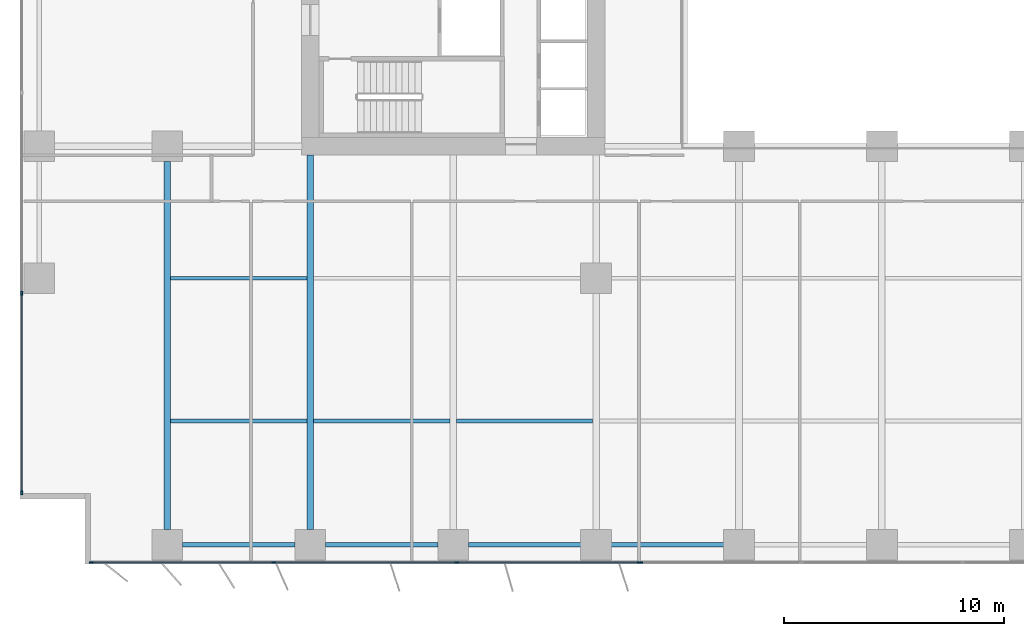
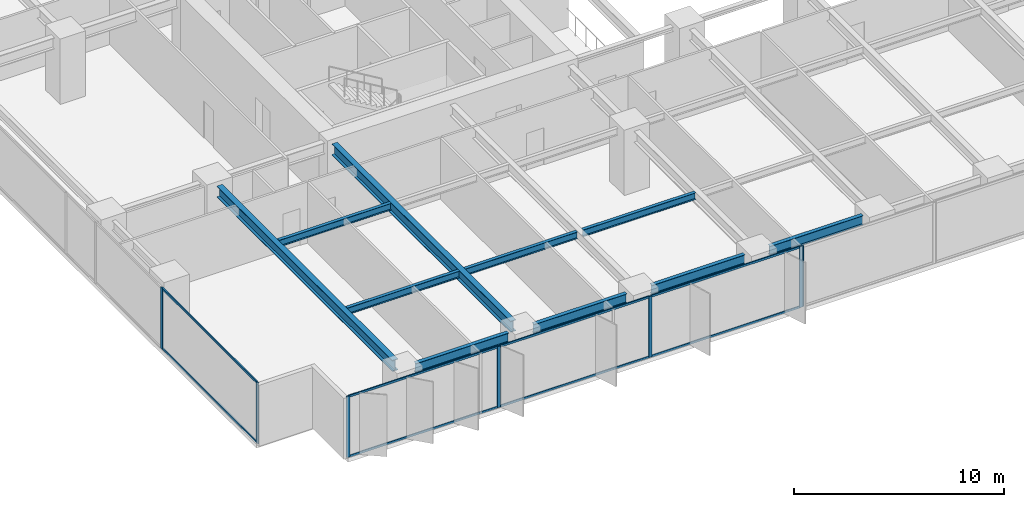
# One storey, part 2 of 20: 15 members, 10 beams, 3 elements without a shape of their own.
"""IFC4 building model written with IfcOpenShell, lengths in metres."""

from ifc_helpers import new_model, si_unit, direction, frame, origin, origin_2d, place, context, subcontext, project, spatial, rectangle, i_section, extrude, material, layer, layer_set, material_profile, profile_set, type_object, element, aggregate, save


model = new_model("IFC4")

# Units and contexts
model_context = context("Model", 3, precision=1e-05, world=origin(), true_north=direction((0.0, 1.0)))
body_context = subcontext(model_context, "Body", "Model", "MODEL_VIEW")
ifc_project = project(units=[si_unit("LENGTHUNIT", "METRE"), si_unit("AREAUNIT", "SQUARE_METRE"), si_unit("VOLUMEUNIT", "CUBIC_METRE"), si_unit("PLANEANGLEUNIT", "RADIAN"), si_unit("MASSUNIT", "GRAM", prefix="KILO")], contexts=[model_context])

# Site, building, storey
site_placement = place(None, origin())
site = spatial("IfcSite", under=ifc_project, at=site_placement, CompositionType="ELEMENT")
building_placement = place(site_placement, origin())
building = spatial("IfcBuilding", under=site, at=building_placement, Name="Putna Gate Headquarters", CompositionType="ELEMENT")
storey_placement = place(building_placement, frame((0.0, 0.0, 65.800048828125)))
storey = spatial("IfcBuildingStorey", under=building, at=storey_placement, Name="L15", CompositionType="ELEMENT", Elevation=65.800048828125)

# Beams
ifc_material_1 = material(Name="Steel S355J2", Category="steel")
ifc_material_profile_1 = material_profile(ifc_material_1, i_section(OverallWidth=0.300048828125, OverallDepth=0.64990234375, WebThickness=0.01611328125, FlangeThickness=0.031005859375, at=origin_2d()), Name="Steel S355J2")
ifc_profile_set_1 = profile_set([ifc_material_profile_1], Name="Steel S355J2")
beam_type_1 = type_object("IfcBeamType", Name="BM-GIRD-Z1-HEB650", PredefinedType="USERDEFINED", material=ifc_profile_set_1)
beam_1_placement = place(storey_placement, frame((6.5, 1.568115234375, 3.224853515625), z_axis=(0.0, 1.0, 0.0), x_axis=(-1.0, 0.0, 0.0)))
element("IfcBeam", 1, at=beam_1_placement, inside=storey, type_object=beam_type_1, Name="L15 South Primary Girder X6", ObjectType="GIRDER", PredefinedType="USERDEFINED", context=body_context, shape_type="SweptSolid", body=[
    extrude(i_section(OverallWidth=0.300048828125, OverallDepth=0.64990234375, WebThickness=0.01611328125, FlangeThickness=0.031005859375, at=origin_2d()), origin(), (0.0, 0.0, 1.0), 16.743896484375),
])
beam_2_placement = place(storey_placement, frame((13.0, 1.568115234375, 3.224853515625), z_axis=(0.0, 1.0, 0.0), x_axis=(-1.0, 0.0, 0.0)))
element("IfcBeam", 2, at=beam_2_placement, inside=storey, type_object=beam_type_1, Name="L15 South Primary Girder X13", ObjectType="GIRDER", PredefinedType="USERDEFINED", context=body_context, shape_type="SweptSolid", body=[
    extrude(i_section(OverallWidth=0.300048828125, OverallDepth=0.64990234375, WebThickness=0.01611328125, FlangeThickness=0.031005859375, at=origin_2d()), origin(), (0.0, 0.0, 1.0), 17.046875),
])
ifc_material_profile_2 = material_profile(ifc_material_1, i_section(OverallWidth=0.179931640625, OverallDepth=0.39990234375, WebThickness=0.008544921875, FlangeThickness=0.013427734375, at=origin_2d()), Name="Steel S355J2")
ifc_profile_set_2 = profile_set([ifc_material_profile_2], Name="Steel S355J2")
beam_type_2 = type_object("IfcBeamType", Name="BM-SEC-Z1-IPE400", PredefinedType="BEAM", material=ifc_profile_set_2)
for number, where, z_axis, x_axis, name in (
    (3, (6.654052734375, 6.5, 3.349853515625), (1.0, 0.0, 0.0), (0.0, 1.0, 0.0), "L15 South Secondary Beam 1"),
    (4, (6.654052734375, 13.0, 3.349853515625), (1.0, 0.0, 0.0), (0.0, 1.0, 0.0), "L15 South Secondary Beam 1"),
    (5, (13.154052734375, 6.5, 3.349853515625), (1.0, 0.0, 0.0), (0.0, 1.0, 0.0), "L15 South Secondary Beam 2"),
    (6, (19.654052734375, 6.5, 3.349853515625), (1.0, 0.0, 0.0), (0.0, 1.0, 0.0), "L15 South Secondary Beam 3"),
):
    element("IfcBeam", number, at=place(storey_placement, frame(where, z_axis=z_axis, x_axis=x_axis)), inside=storey, type_object=beam_type_2, Name=name, PredefinedType="BEAM", context=body_context, shape_type="SweptSolid", body=[
        extrude(i_section(OverallWidth=0.179931640625, OverallDepth=0.39990234375, WebThickness=0.008544921875, FlangeThickness=0.013427734375, at=origin_2d()), origin(), (0.0, 0.0, 1.0), 6.19189453125),
    ])
ifc_material_profile_3 = material_profile(ifc_material_1, i_section(OverallWidth=0.2099609375, OverallDepth=0.550048828125, WebThickness=0.010986328125, FlangeThickness=0.01708984375, at=origin_2d()), Name="Steel S355J2")
ifc_profile_set_3 = profile_set([ifc_material_profile_3], Name="Steel S355J2")
beam_type_3 = type_object("IfcBeamType", Name="BM-SPAN-Z1-IPE550", PredefinedType="SPANDREL", material=ifc_profile_set_3)
for number, where, z_axis, x_axis, name in (
    (7, (7.18798828125, 0.8798828125, 3.27490234375), (1.0, 0.0, 0.0), (0.0, 1.0, 0.0), "L15 S Perimeter Spandrel 1"),
    (8, (13.68798828125, 0.8798828125, 3.27490234375), (1.0, 0.0, 0.0), (0.0, 1.0, 0.0), "L15 S Perimeter Spandrel 2"),
    (9, (20.18798828125, 0.8798828125, 3.27490234375), (1.0, 0.0, 0.0), (0.0, 1.0, 0.0), "L15 S Perimeter Spandrel 3"),
    (10, (26.68798828125, 0.8798828125, 3.27490234375), (1.0, 0.0, 0.0), (0.0, 1.0, 0.0), "L15 S Perimeter Spandrel 4"),
):
    element("IfcBeam", number, at=place(storey_placement, frame(where, z_axis=z_axis, x_axis=x_axis)), inside=storey, type_object=beam_type_3, Name=name, PredefinedType="SPANDREL", context=body_context, shape_type="SweptSolid", body=[
        extrude(i_section(OverallWidth=0.2099609375, OverallDepth=0.550048828125, WebThickness=0.010986328125, FlangeThickness=0.01708984375, at=origin_2d()), origin(), (0.0, 0.0, 1.0), 5.1240234375),
    ])

# Curtain wall, members
ifc_material_2 = material(Name="Anodised bronze aluminium curtain wall", Category="aluminium")
ifc_layer_1 = layer(ifc_material_2, 0.179931640625)
ifc_layer_set_1 = layer_set([ifc_layer_1], Name="Anodised bronze aluminium curtain wall")
curtain_wall_type_1 = type_object("IfcCurtainWallType", Name="CW-SYS-Z1", PredefinedType="USERDEFINED", material=ifc_layer_set_1)
curtain_wall_1_placement = place(storey_placement, origin())
curtain_wall_1 = element("IfcCurtainWall", 11, at=curtain_wall_1_placement, inside=storey, type_object=curtain_wall_type_1, Name="L15 South West Curtain Wall", ObjectType="STICK CURTAIN WALL", PredefinedType="USERDEFINED")
ifc_material_3 = material(Name="Anodised bronze aluminium EN AW-6060", Category="aluminium")
ifc_material_profile_4 = material_profile(ifc_material_3, rectangle(XDim=0.070068359375, YDim=0.179931640625, at=origin_2d()), Name="Anodised bronze aluminium EN AW-6060")
ifc_profile_set_4 = profile_set([ifc_material_profile_4], Name="Anodised bronze aluminium EN AW-6060")
member_type_1 = type_object("IfcMemberType", Name="MULL-CWM-1", PredefinedType="MULLION", material=ifc_profile_set_4)
member_1_placement = place(storey_placement, frame((3.034912109375, 0.080078125, 0.0), z_axis=(0.0, 0.0, 1.0), x_axis=(0.0, 1.0, 0.0)))
member_1 = element("IfcMember", 12, at=member_1_placement, type_object=member_type_1, Name="CWS-1 mullion 1", PredefinedType="MULLION", context=body_context, shape_type="SweptSolid", body=[
    extrude(rectangle(XDim=0.070068359375, YDim=0.179931640625, at=origin_2d()), origin(), (0.0, 0.0, 1.0), 3.550048828125),
])
member_2_placement = place(storey_placement, frame((11.333251953125, 0.080078125, 0.0), z_axis=(0.0, 0.0, 1.0), x_axis=(0.0, 1.0, 0.0)))
member_2 = element("IfcMember", 13, at=member_2_placement, type_object=member_type_1, Name="CWS-1 mullion 2", PredefinedType="MULLION", context=body_context, shape_type="SweptSolid", body=[
    extrude(rectangle(XDim=0.070068359375, YDim=0.179931640625, at=origin_2d()), origin(), (0.0, 0.0, 1.0), 3.550048828125),
])
member_3_placement = place(storey_placement, frame((19.666748046875, 0.080078125, 0.0), z_axis=(0.0, 0.0, 1.0), x_axis=(0.0, 1.0, 0.0)))
member_3 = element("IfcMember", 14, at=member_3_placement, type_object=member_type_1, Name="CWS-1 mullion 3", PredefinedType="MULLION", context=body_context, shape_type="SweptSolid", body=[
    extrude(rectangle(XDim=0.070068359375, YDim=0.179931640625, at=origin_2d()), origin(), (0.0, 0.0, 1.0), 3.550048828125),
])
member_4_placement = place(storey_placement, frame((27.965087890625, 0.080078125, 0.0), z_axis=(0.0, 0.0, 1.0), x_axis=(0.0, 1.0, 0.0)))
member_4 = element("IfcMember", 15, at=member_4_placement, type_object=member_type_1, Name="CWS-1 mullion 4", PredefinedType="MULLION", context=body_context, shape_type="SweptSolid", body=[
    extrude(rectangle(XDim=0.070068359375, YDim=0.179931640625, at=origin_2d()), origin(), (0.0, 0.0, 1.0), 3.550048828125),
])

curtain_wall_2_placement = place(storey_placement, origin())
curtain_wall_2 = element("IfcCurtainWall", 16, at=curtain_wall_2_placement, inside=storey, type_object=curtain_wall_type_1, Name="L15 West Curtain Wall", ObjectType="STICK CURTAIN WALL", PredefinedType="USERDEFINED")
member_5_placement = place(storey_placement, frame((-0.1201171875, 3.235107421875, 0.0), z_axis=(0.0, 0.0, 1.0), x_axis=(-1.0, 0.0, 0.0)))
member_5 = element("IfcMember", 17, at=member_5_placement, type_object=member_type_1, Name="CWS-1 mullion 1", PredefinedType="MULLION", context=body_context, shape_type="SweptSolid", body=[
    extrude(rectangle(XDim=0.070068359375, YDim=0.179931640625, at=origin_2d()), origin(), (0.0, 0.0, 1.0), 3.550048828125),
])
member_6_placement = place(storey_placement, frame((-0.1201171875, 12.320068359375, 0.0), z_axis=(0.0, 0.0, 1.0), x_axis=(-1.0, 0.0, 0.0)))
member_6 = element("IfcMember", 18, at=member_6_placement, type_object=member_type_1, Name="CWS-1 mullion 2", PredefinedType="MULLION", context=body_context, shape_type="SweptSolid", body=[
    extrude(rectangle(XDim=0.070068359375, YDim=0.179931640625, at=origin_2d()), origin(), (0.0, 0.0, 1.0), 3.550048828125),
])

# Curtain wall, member
ifc_layer_2 = layer(ifc_material_2, 0.179931640625)
ifc_layer_set_2 = layer_set([ifc_layer_2], Name="Anodised bronze aluminium curtain wall")
curtain_wall_type_2 = type_object("IfcCurtainWallType", Name="CW-SYS-ATR", PredefinedType="USERDEFINED", material=ifc_layer_set_2)
curtain_wall_3_placement = place(storey_placement, origin())
curtain_wall_3 = element("IfcCurtainWall", 19, at=curtain_wall_3_placement, inside=storey, type_object=curtain_wall_type_2, Name="L15 South Atrium Clear Glazing", ObjectType="ATRIUM GLAZING", PredefinedType="USERDEFINED")
ifc_material_profile_5 = material_profile(ifc_material_3, rectangle(XDim=0.070068359375, YDim=0.179931640625, at=origin_2d()), Name="Anodised bronze aluminium EN AW-6060")
ifc_profile_set_5 = profile_set([ifc_material_profile_5], Name="Anodised bronze aluminium EN AW-6060")
member_type_2 = type_object("IfcMemberType", Name="MULL-CWM-AT", PredefinedType="MULLION", material=ifc_profile_set_5)
member_7_placement = place(storey_placement, frame((28.034912109375, 0.080078125, 0.0), z_axis=(0.0, 0.0, 1.0), x_axis=(0.0, 1.0, 0.0)))
member_7 = element("IfcMember", 20, at=member_7_placement, type_object=member_type_2, Name="CWS-AT mullion 1", PredefinedType="MULLION", context=body_context, shape_type="SweptSolid", body=[
    extrude(rectangle(XDim=0.070068359375, YDim=0.179931640625, at=origin_2d()), origin(), (0.0, 0.0, 1.0), 3.550048828125),
])
aggregate(curtain_wall_3, [member_7])

# Member
ifc_material_profile_6 = material_profile(ifc_material_3, rectangle(XDim=0.06494140625, YDim=0.1201171875, at=origin_2d()), Name="Anodised bronze aluminium EN AW-6060")
ifc_profile_set_6 = profile_set([ifc_material_profile_6], Name="Anodised bronze aluminium EN AW-6060")
member_type_3 = type_object("IfcMemberType", Name="TRAN-CWT-1", PredefinedType="USERDEFINED", material=ifc_profile_set_6)
member_8_placement = place(storey_placement, frame((3.070068359375, 0.080078125, 0.032470703125), z_axis=(1.0, 0.0, 0.0), x_axis=(0.0, 1.0, 0.0)))
member_8 = element("IfcMember", 21, at=member_8_placement, type_object=member_type_3, Name="CWS-1 transom 1.1", ObjectType="TRANSOM", PredefinedType="USERDEFINED", context=body_context, shape_type="SweptSolid", body=[
    extrude(rectangle(XDim=0.06494140625, YDim=0.1201171875, at=origin_2d()), origin(), (0.0, 0.0, 1.0), 8.228271484375),
])

member_9_placement = place(storey_placement, frame((3.070068359375, 0.080078125, 3.517333984375), z_axis=(1.0, 0.0, 0.0), x_axis=(0.0, 1.0, 0.0)))
member_9 = element("IfcMember", 22, at=member_9_placement, type_object=member_type_3, Name="CWS-1 transom 1.2", ObjectType="TRANSOM", PredefinedType="USERDEFINED", context=body_context, shape_type="SweptSolid", body=[
    extrude(rectangle(XDim=0.06494140625, YDim=0.1201171875, at=origin_2d()), origin(), (0.0, 0.0, 1.0), 8.228271484375),
])

member_10_placement = place(storey_placement, frame((11.368408203125, 0.080078125, 0.032470703125), z_axis=(1.0, 0.0, 0.0), x_axis=(0.0, 1.0, 0.0)))
member_10 = element("IfcMember", 23, at=member_10_placement, type_object=member_type_3, Name="CWS-1 transom 2.1", ObjectType="TRANSOM", PredefinedType="USERDEFINED", context=body_context, shape_type="SweptSolid", body=[
    extrude(rectangle(XDim=0.06494140625, YDim=0.1201171875, at=origin_2d()), origin(), (0.0, 0.0, 1.0), 8.26318359375),
])

member_11_placement = place(storey_placement, frame((11.368408203125, 0.080078125, 3.517333984375), z_axis=(1.0, 0.0, 0.0), x_axis=(0.0, 1.0, 0.0)))
member_11 = element("IfcMember", 24, at=member_11_placement, type_object=member_type_3, Name="CWS-1 transom 2.2", ObjectType="TRANSOM", PredefinedType="USERDEFINED", context=body_context, shape_type="SweptSolid", body=[
    extrude(rectangle(XDim=0.06494140625, YDim=0.1201171875, at=origin_2d()), origin(), (0.0, 0.0, 1.0), 8.26318359375),
])

member_12_placement = place(storey_placement, frame((19.70166015625, 0.080078125, 0.032470703125), z_axis=(1.0, 0.0, 0.0), x_axis=(0.0, 1.0, 0.0)))
member_12 = element("IfcMember", 25, at=member_12_placement, type_object=member_type_3, Name="CWS-1 transom 3.1", ObjectType="TRANSOM", PredefinedType="USERDEFINED", context=body_context, shape_type="SweptSolid", body=[
    extrude(rectangle(XDim=0.06494140625, YDim=0.1201171875, at=origin_2d()), origin(), (0.0, 0.0, 1.0), 8.228271484375),
])

member_13_placement = place(storey_placement, frame((19.70166015625, 0.080078125, 3.517333984375), z_axis=(1.0, 0.0, 0.0), x_axis=(0.0, 1.0, 0.0)))
member_13 = element("IfcMember", 26, at=member_13_placement, type_object=member_type_3, Name="CWS-1 transom 3.2", ObjectType="TRANSOM", PredefinedType="USERDEFINED", context=body_context, shape_type="SweptSolid", body=[
    extrude(rectangle(XDim=0.06494140625, YDim=0.1201171875, at=origin_2d()), origin(), (0.0, 0.0, 1.0), 8.228271484375),
])

aggregate(curtain_wall_1, [member_1, member_2, member_3, member_4, member_8, member_9, member_10, member_11, member_12, member_13])

member_14_placement = place(storey_placement, frame((-0.1201171875, 3.27001953125, 0.032470703125), z_axis=(0.0, 1.0, 0.0), x_axis=(-1.0, 0.0, 0.0)))
member_14 = element("IfcMember", 27, at=member_14_placement, type_object=member_type_3, Name="CWS-1 transom 1.1", ObjectType="TRANSOM", PredefinedType="USERDEFINED", context=body_context, shape_type="SweptSolid", body=[
    extrude(rectangle(XDim=0.06494140625, YDim=0.1201171875, at=origin_2d()), origin(), (0.0, 0.0, 1.0), 9.014892578125),
])

member_15_placement = place(storey_placement, frame((-0.1201171875, 3.27001953125, 3.517333984375), z_axis=(0.0, 1.0, 0.0), x_axis=(-1.0, 0.0, 0.0)))
member_15 = element("IfcMember", 28, at=member_15_placement, type_object=member_type_3, Name="CWS-1 transom 1.2", ObjectType="TRANSOM", PredefinedType="USERDEFINED", context=body_context, shape_type="SweptSolid", body=[
    extrude(rectangle(XDim=0.06494140625, YDim=0.1201171875, at=origin_2d()), origin(), (0.0, 0.0, 1.0), 9.014892578125),
])

aggregate(curtain_wall_2, [member_5, member_6, member_14, member_15])

save(model, "model.ifc")
